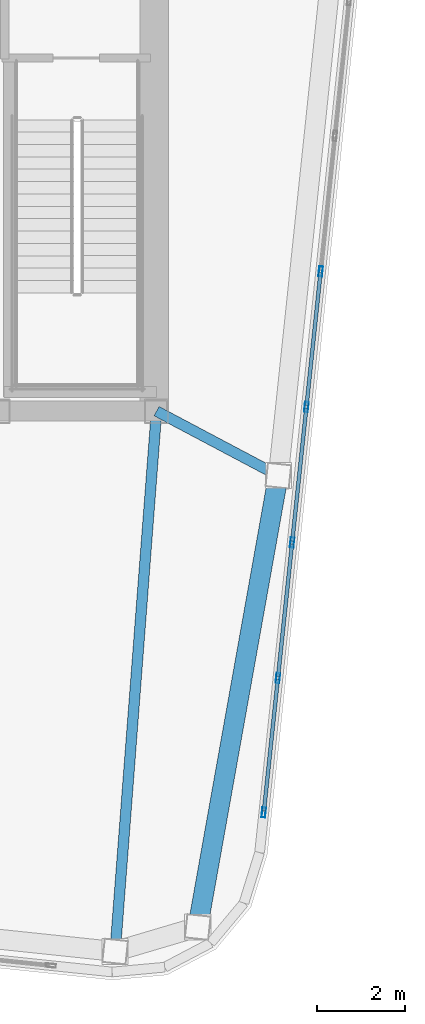
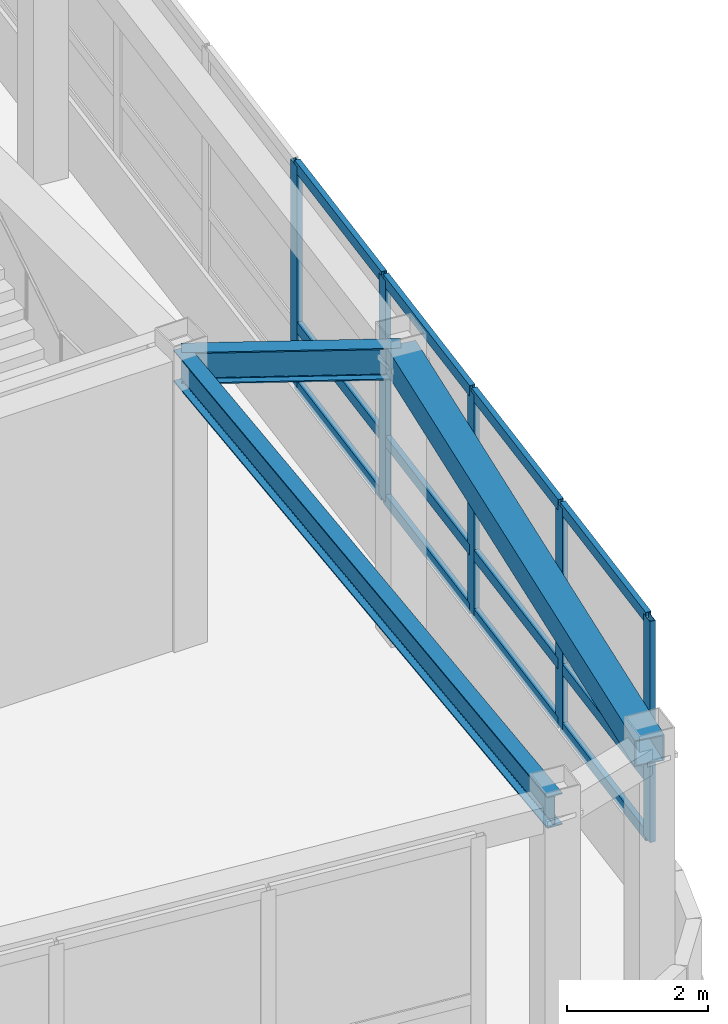
# One storey, part 11 of 23: 17 members, 3 beams, 1 element without a shape of its own.
"""IFC4 building model written with IfcOpenShell, lengths in metres."""

from ifc_helpers import new_model, si_unit, direction, frame, origin, origin_2d, place, context, subcontext, project, spatial, hollow_rectangle, i_section, extrude, material, layer, layer_set, material_profile, profile_set, type_object, element, aggregate, save


model = new_model("IFC4")

# Units and contexts
model_context = context("Model", 3, precision=1e-05, world=origin(), true_north=direction((0.0, 1.0)))
body_context = subcontext(model_context, "Body", "Model", "MODEL_VIEW")
ifc_project = project(units=[si_unit("LENGTHUNIT", "METRE"), si_unit("AREAUNIT", "SQUARE_METRE"), si_unit("VOLUMEUNIT", "CUBIC_METRE"), si_unit("PLANEANGLEUNIT", "RADIAN"), si_unit("MASSUNIT", "GRAM", prefix="KILO")], contexts=[model_context])

# Site, building, storey
site_placement = place(None, origin())
site = spatial("IfcSite", under=ifc_project, at=site_placement, CompositionType="ELEMENT")
building_placement = place(site_placement, origin())
building = spatial("IfcBuilding", under=site, at=building_placement, Name="Voryun Gate Residences", CompositionType="ELEMENT")
storey_placement = place(building_placement, frame((0.0, 0.0, 331.89990234375)))
storey = spatial("IfcBuildingStorey", under=building, at=storey_placement, Name="L81", CompositionType="ELEMENT", Elevation=331.89990234375)

# Beams
ifc_material_1 = material(Name="Steel SM355", Category="steel")
ifc_material_profile_1 = material_profile(ifc_material_1, hollow_rectangle(XDim=0.449951171875, YDim=0.449951171875, WallThickness=0.01806640625, at=origin_2d()), Name="BOX-450x450x18")
ifc_profile_set_1 = profile_set([ifc_material_profile_1], Name="Steel SM355")
beam_type_1 = type_object("IfcBeamType", Name="BM_CROWN_RING", PredefinedType="BEAM", material=ifc_profile_set_1)
beam_1_placement = place(storey_placement, frame((20.1328125, -19.083984375, 4.800048828125), z_axis=(0.175791452213, 0.984427430199, 0.0), x_axis=(-0.984427430199, 0.175791452213, 0.0)))
element("IfcBeam", 1, at=beam_1_placement, inside=storey, type_object=beam_type_1, Name="BM-L81-SPAND-07", PredefinedType="BEAM", context=body_context, shape_type="SweptSolid", body=[
    extrude(hollow_rectangle(XDim=0.449951171875, YDim=0.449951171875, WallThickness=0.01806640625, at=origin_2d()), origin(), (0.0, 0.0, 1.0), 10.384033203125),
])
ifc_material_2 = material(Name="Steel SM355", Category="steel")
ifc_material_profile_2 = material_profile(ifc_material_2, i_section(OverallWidth=0.239990234375, OverallDepth=0.550048828125, WebThickness=0.011962890625, FlangeThickness=0.02001953125, FilletRadius=0.01806640625, at=origin_2d()), Name="H-550x240x12x20")
ifc_profile_set_2 = profile_set([ifc_material_profile_2], Name="Steel SM355")
beam_type_2 = type_object("IfcBeamType", Name="BM_GIRD_550", PredefinedType="USERDEFINED", material=ifc_profile_set_2)
beam_2_placement = place(storey_placement, frame((19.199951171875, -7.39990234375, 4.75), z_axis=(-0.076459214337, -0.997072709757, 0.0), x_axis=(0.997072709757, -0.076459214337, 0.0)))
element("IfcBeam", 2, at=beam_2_placement, inside=storey, type_object=beam_type_2, Name="BM-L81-RAD-S6", ObjectType="GIRDER", PredefinedType="USERDEFINED", context=body_context, shape_type="SweptSolid", body=[
    extrude(i_section(OverallWidth=0.239990234375, OverallDepth=0.550048828125, WebThickness=0.011962890625, FlangeThickness=0.02001953125, FilletRadius=0.01806640625, at=origin_2d()), origin(), (0.0, 0.0, 1.0), 12.274169921875),
])
beam_3_placement = place(storey_placement, frame((19.199951171875, -7.39990234375, 4.75), z_axis=(0.883603317059, -0.468236241745, 0.0), x_axis=(0.468236241745, 0.883603317059, 0.0)))
element("IfcBeam", 3, at=beam_3_placement, inside=storey, type_object=beam_type_2, Name="BM-L81-RAD-E1", ObjectType="GIRDER", PredefinedType="USERDEFINED", context=body_context, shape_type="SweptSolid", body=[
    extrude(i_section(OverallWidth=0.239990234375, OverallDepth=0.550048828125, WebThickness=0.011962890625, FlangeThickness=0.02001953125, FilletRadius=0.01806640625, at=origin_2d()), origin(), (0.0, 0.0, 1.0), 3.12158203125),
])

# Curtain wall, members
ifc_material_3 = material(Name="Anodised aluminium", Category="aluminium")
ifc_layer = layer(ifc_material_3, 0.22998046875, Name="CW_SYS_LANTERN_DARK_GLASS")
ifc_layer_set = layer_set([ifc_layer], Name="Anodised aluminium")
curtain_wall_type = type_object("IfcCurtainWallType", Name="CW_SYS_LANTERN_DARK_GLASS", PredefinedType="NOTDEFINED", material=ifc_layer_set)
curtain_wall_placement = place(storey_placement, origin())
curtain_wall = element("IfcCurtainWall", 4, at=curtain_wall_placement, inside=storey, type_object=curtain_wall_type, Name="Curtain wall CW6-L81-16", PredefinedType="NOTDEFINED")
ifc_material_4 = material(Name="Anodised aluminium", Category="aluminium")
ifc_material_profile_3 = material_profile(ifc_material_4, hollow_rectangle(XDim=0.0849609375, YDim=0.22998046875, WallThickness=0.006103515625, at=origin_2d()), Name="ALU-MULL-230x85x6")
ifc_profile_set_3 = profile_set([ifc_material_profile_3], Name="Anodised aluminium")
member_type_1 = type_object("IfcMemberType", Name="CW_MULL_LANT", PredefinedType="MULLION", material=ifc_profile_set_3)
member_1_placement = place(storey_placement, frame((22.917236328125, -4.234375, 1.190185546875), z_axis=(0.0, 0.0, 1.0), x_axis=(0.994521943608, -0.104528004296, 0.0)))
member_1 = element("IfcMember", 5, at=member_1_placement, type_object=member_type_1, Name="CW6 mullion 6", PredefinedType="MULLION", context=body_context, shape_type="SweptSolid", body=[
    extrude(hollow_rectangle(XDim=0.0849609375, YDim=0.22998046875, WallThickness=0.006103515625, at=origin_2d()), origin(), (0.0, 0.0, 1.0), 3.8349609375),
])
member_2_placement = place(storey_placement, frame((22.594482421875, -7.305419921875, 1.190185546875), z_axis=(0.0, 0.0, 1.0), x_axis=(0.994521943608, -0.104528004296, 0.0)))
member_2 = element("IfcMember", 6, at=member_2_placement, type_object=member_type_1, Name="CW6 mullion 7", PredefinedType="MULLION", context=body_context, shape_type="SweptSolid", body=[
    extrude(hollow_rectangle(XDim=0.0849609375, YDim=0.22998046875, WallThickness=0.006103515625, at=origin_2d()), origin(), (0.0, 0.0, 1.0), 3.8349609375),
])
member_3_placement = place(storey_placement, frame((22.271728515625, -10.376220703125, 1.190185546875), z_axis=(0.0, 0.0, 1.0), x_axis=(0.994521943608, -0.104528004296, 0.0)))
member_3 = element("IfcMember", 7, at=member_3_placement, type_object=member_type_1, Name="CW6 mullion 8", PredefinedType="MULLION", context=body_context, shape_type="SweptSolid", body=[
    extrude(hollow_rectangle(XDim=0.0849609375, YDim=0.22998046875, WallThickness=0.006103515625, at=origin_2d()), origin(), (0.0, 0.0, 1.0), 3.8349609375),
])
member_4_placement = place(storey_placement, frame((21.948974609375, -13.447265625, 1.190185546875), z_axis=(0.0, 0.0, 1.0), x_axis=(0.994521943608, -0.104528004296, 0.0)))
member_4 = element("IfcMember", 8, at=member_4_placement, type_object=member_type_1, Name="CW6 mullion 9", PredefinedType="MULLION", context=body_context, shape_type="SweptSolid", body=[
    extrude(hollow_rectangle(XDim=0.0849609375, YDim=0.22998046875, WallThickness=0.006103515625, at=origin_2d()), origin(), (0.0, 0.0, 1.0), 3.8349609375),
])
member_5_placement = place(storey_placement, frame((21.629150390625, -16.48828125, 1.190185546875), z_axis=(0.0, 0.0, 1.0), x_axis=(0.994521943608, -0.104528004296, 0.0)))
member_5 = element("IfcMember", 9, at=member_5_placement, type_object=member_type_1, Name="CW6 mullion 10", PredefinedType="MULLION", context=body_context, shape_type="SweptSolid", body=[
    extrude(hollow_rectangle(XDim=0.0849609375, YDim=0.22998046875, WallThickness=0.006103515625, at=origin_2d()), origin(), (0.0, 0.0, 1.0), 3.8349609375),
])
ifc_material_5 = material(Name="Anodised aluminium", Category="aluminium")
ifc_material_profile_4 = material_profile(ifc_material_5, hollow_rectangle(XDim=0.0849609375, YDim=0.18994140625, WallThickness=0.006103515625, at=origin_2d()), Name="ALU-TRAN-190x85x6")
ifc_profile_set_4 = profile_set([ifc_material_profile_4], Name="Anodised aluminium")
member_type_2 = type_object("IfcMemberType", Name="CW_TRAN_LANT", PredefinedType="USERDEFINED", material=ifc_profile_set_4)
member_6_placement = place(storey_placement, frame((22.9140625, -4.26416015625, 1.22021484375), z_axis=(-0.104500100479, -0.994524876009, 0.0), x_axis=(0.994524876009, -0.104500100479, 0.0)))
member_6 = element("IfcMember", 10, at=member_6_placement, type_object=member_type_2, Name="CW6 transom 6.1", ObjectType="TRANSOM", PredefinedType="USERDEFINED", context=body_context, shape_type="SweptSolid", body=[
    extrude(hollow_rectangle(XDim=0.0849609375, YDim=0.18994140625, WallThickness=0.006103515625, at=origin_2d()), origin(), (0.0, 0.0, 1.0), 3.02783203125),
])
member_7_placement = place(storey_placement, frame((22.9140625, -4.26416015625, 2.239990234375), z_axis=(-0.104500100479, -0.994524876009, 0.0), x_axis=(0.994524876009, -0.104500100479, 0.0)))
member_7 = element("IfcMember", 11, at=member_7_placement, type_object=member_type_2, Name="CW6 transom 6.2", ObjectType="TRANSOM", PredefinedType="USERDEFINED", context=body_context, shape_type="SweptSolid", body=[
    extrude(hollow_rectangle(XDim=0.0849609375, YDim=0.18994140625, WallThickness=0.006103515625, at=origin_2d()), origin(), (0.0, 0.0, 1.0), 3.02783203125),
])
member_8_placement = place(storey_placement, frame((22.9140625, -4.26416015625, 4.9951171875), z_axis=(-0.104500100479, -0.994524876009, 0.0), x_axis=(0.994524876009, -0.104500100479, 0.0)))
member_8 = element("IfcMember", 12, at=member_8_placement, type_object=member_type_2, Name="CW6 transom 6.3", ObjectType="TRANSOM", PredefinedType="USERDEFINED", context=body_context, shape_type="SweptSolid", body=[
    extrude(hollow_rectangle(XDim=0.0849609375, YDim=0.18994140625, WallThickness=0.006103515625, at=origin_2d()), origin(), (0.0, 0.0, 1.0), 3.02783203125),
])
member_9_placement = place(storey_placement, frame((22.59130859375, -7.335205078125, 1.22021484375), z_axis=(-0.104579851732, -0.994516492881, 0.0), x_axis=(0.994516492881, -0.104579851732, 0.0)))
member_9 = element("IfcMember", 13, at=member_9_placement, type_object=member_type_2, Name="CW6 transom 7.1", ObjectType="TRANSOM", PredefinedType="USERDEFINED", context=body_context, shape_type="SweptSolid", body=[
    extrude(hollow_rectangle(XDim=0.0849609375, YDim=0.18994140625, WallThickness=0.006103515625, at=origin_2d()), origin(), (0.0, 0.0, 1.0), 3.02783203125),
])
member_10_placement = place(storey_placement, frame((22.59130859375, -7.335205078125, 2.239990234375), z_axis=(-0.104579851732, -0.994516492881, 0.0), x_axis=(0.994516492881, -0.104579851732, 0.0)))
member_10 = element("IfcMember", 14, at=member_10_placement, type_object=member_type_2, Name="CW6 transom 7.2", ObjectType="TRANSOM", PredefinedType="USERDEFINED", context=body_context, shape_type="SweptSolid", body=[
    extrude(hollow_rectangle(XDim=0.0849609375, YDim=0.18994140625, WallThickness=0.006103515625, at=origin_2d()), origin(), (0.0, 0.0, 1.0), 3.02783203125),
])
member_11_placement = place(storey_placement, frame((22.59130859375, -7.335205078125, 4.9951171875), z_axis=(-0.104579851732, -0.994516492881, 0.0), x_axis=(0.994516492881, -0.104579851732, 0.0)))
member_11 = element("IfcMember", 15, at=member_11_placement, type_object=member_type_2, Name="CW6 transom 7.3", ObjectType="TRANSOM", PredefinedType="USERDEFINED", context=body_context, shape_type="SweptSolid", body=[
    extrude(hollow_rectangle(XDim=0.0849609375, YDim=0.18994140625, WallThickness=0.006103515625, at=origin_2d()), origin(), (0.0, 0.0, 1.0), 3.02783203125),
])
member_12_placement = place(storey_placement, frame((22.2685546875, -10.406005859375, 1.22021484375), z_axis=(-0.104579851732, -0.994516492881, 0.0), x_axis=(0.994516492881, -0.104579851732, 0.0)))
member_12 = element("IfcMember", 16, at=member_12_placement, type_object=member_type_2, Name="CW6 transom 8.1", ObjectType="TRANSOM", PredefinedType="USERDEFINED", context=body_context, shape_type="SweptSolid", body=[
    extrude(hollow_rectangle(XDim=0.0849609375, YDim=0.18994140625, WallThickness=0.006103515625, at=origin_2d()), origin(), (0.0, 0.0, 1.0), 3.02783203125),
])
member_13_placement = place(storey_placement, frame((22.2685546875, -10.406005859375, 2.239990234375), z_axis=(-0.104579851732, -0.994516492881, 0.0), x_axis=(0.994516492881, -0.104579851732, 0.0)))
member_13 = element("IfcMember", 17, at=member_13_placement, type_object=member_type_2, Name="CW6 transom 8.2", ObjectType="TRANSOM", PredefinedType="USERDEFINED", context=body_context, shape_type="SweptSolid", body=[
    extrude(hollow_rectangle(XDim=0.0849609375, YDim=0.18994140625, WallThickness=0.006103515625, at=origin_2d()), origin(), (0.0, 0.0, 1.0), 3.02783203125),
])
member_14_placement = place(storey_placement, frame((22.2685546875, -10.406005859375, 4.9951171875), z_axis=(-0.104579851732, -0.994516492881, 0.0), x_axis=(0.994516492881, -0.104579851732, 0.0)))
member_14 = element("IfcMember", 18, at=member_14_placement, type_object=member_type_2, Name="CW6 transom 8.3", ObjectType="TRANSOM", PredefinedType="USERDEFINED", context=body_context, shape_type="SweptSolid", body=[
    extrude(hollow_rectangle(XDim=0.0849609375, YDim=0.18994140625, WallThickness=0.006103515625, at=origin_2d()), origin(), (0.0, 0.0, 1.0), 3.02783203125),
])
member_15_placement = place(storey_placement, frame((21.94580078125, -13.47705078125, 1.22021484375), z_axis=(-0.104566085446, -0.994517940398, 0.0), x_axis=(0.994517940398, -0.104566085446, 0.0)))
member_15 = element("IfcMember", 19, at=member_15_placement, type_object=member_type_2, Name="CW6 transom 9.1", ObjectType="TRANSOM", PredefinedType="USERDEFINED", context=body_context, shape_type="SweptSolid", body=[
    extrude(hollow_rectangle(XDim=0.0849609375, YDim=0.18994140625, WallThickness=0.006103515625, at=origin_2d()), origin(), (0.0, 0.0, 1.0), 2.997802734375),
])
member_16_placement = place(storey_placement, frame((21.94580078125, -13.47705078125, 2.239990234375), z_axis=(-0.104566085446, -0.994517940398, 0.0), x_axis=(0.994517940398, -0.104566085446, 0.0)))
member_16 = element("IfcMember", 20, at=member_16_placement, type_object=member_type_2, Name="CW6 transom 9.2", ObjectType="TRANSOM", PredefinedType="USERDEFINED", context=body_context, shape_type="SweptSolid", body=[
    extrude(hollow_rectangle(XDim=0.0849609375, YDim=0.18994140625, WallThickness=0.006103515625, at=origin_2d()), origin(), (0.0, 0.0, 1.0), 2.997802734375),
])
member_17_placement = place(storey_placement, frame((21.94580078125, -13.47705078125, 4.9951171875), z_axis=(-0.104566085446, -0.994517940398, 0.0), x_axis=(0.994517940398, -0.104566085446, 0.0)))
member_17 = element("IfcMember", 21, at=member_17_placement, type_object=member_type_2, Name="CW6 transom 9.3", ObjectType="TRANSOM", PredefinedType="USERDEFINED", context=body_context, shape_type="SweptSolid", body=[
    extrude(hollow_rectangle(XDim=0.0849609375, YDim=0.18994140625, WallThickness=0.006103515625, at=origin_2d()), origin(), (0.0, 0.0, 1.0), 2.997802734375),
])
aggregate(curtain_wall, [member_1, member_2, member_3, member_4, member_5, member_6, member_7, member_8, member_9, member_10, member_11, member_12, member_13, member_14, member_15, member_16, member_17])

save(model, "model.ifc")
